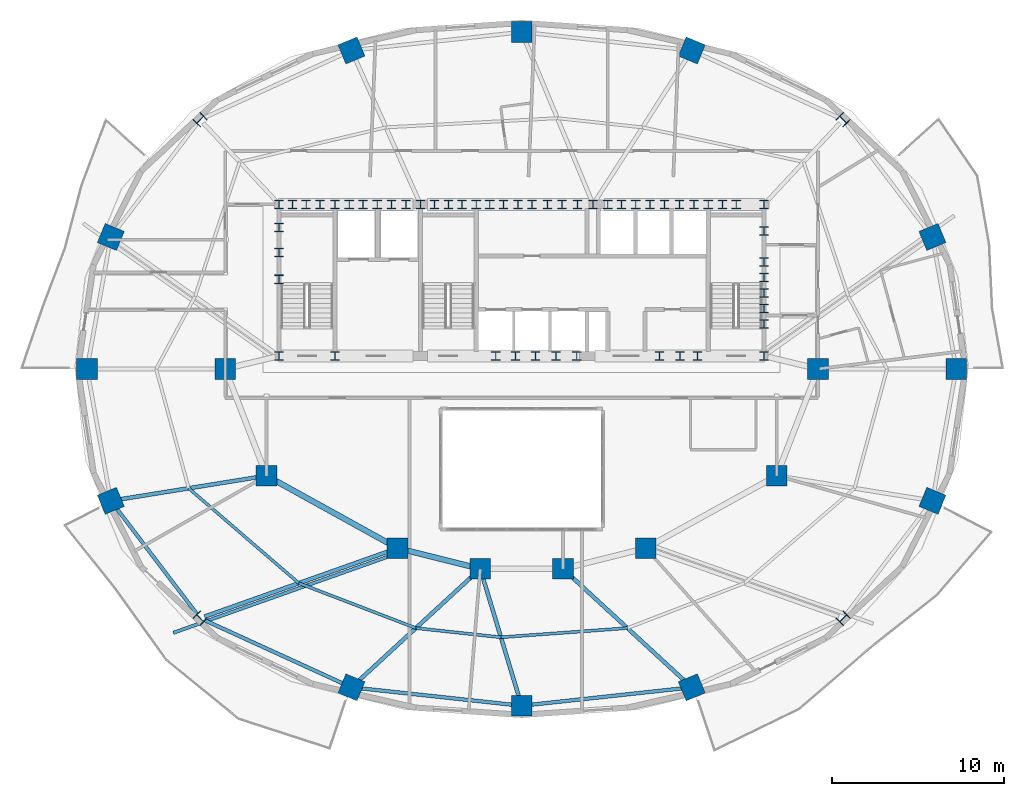
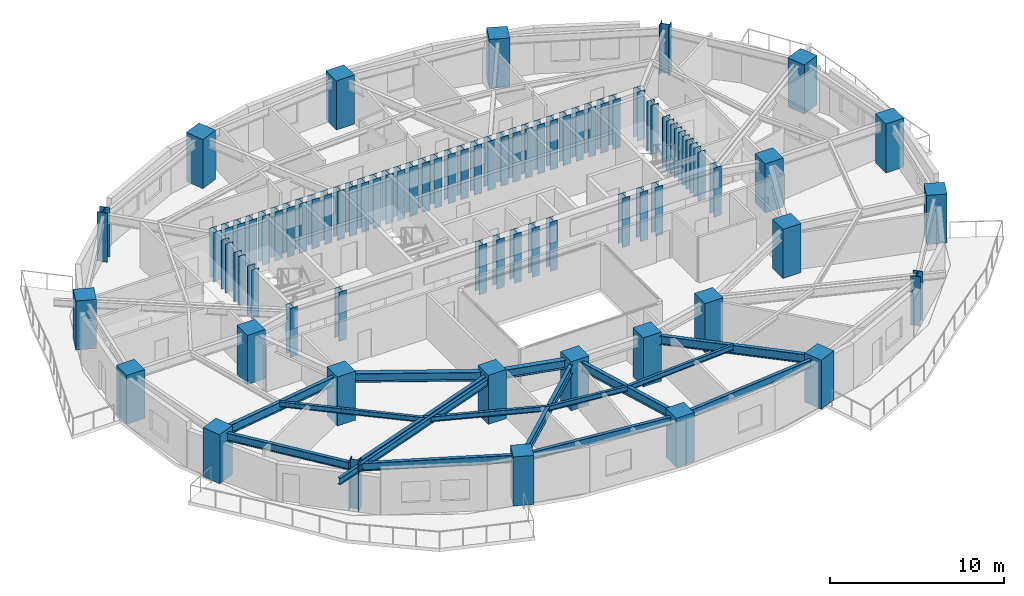
# One storey, part 1 of 13: 78 columns, 16 beams.
"""IFC4 building model written with IfcOpenShell, lengths in metres."""

from ifc_helpers import new_model, si_unit, direction, frame, origin, origin_2d, place, context, subcontext, project, spatial, rectangle, i_section, extrude, material, material_profile, profile_set, type_object, element, save


model = new_model("IFC4")

# Units and contexts
model_context = context("Model", 3, precision=1e-05, world=origin(), true_north=direction((0.0, 1.0)))
body_context = subcontext(model_context, "Body", "Model", "MODEL_VIEW")
ifc_project = project(units=[si_unit("LENGTHUNIT", "METRE"), si_unit("AREAUNIT", "SQUARE_METRE"), si_unit("VOLUMEUNIT", "CUBIC_METRE"), si_unit("PLANEANGLEUNIT", "RADIAN"), si_unit("MASSUNIT", "GRAM", prefix="KILO")], contexts=[model_context])

# Site, building, storey
site_placement = place(None, origin())
site = spatial("IfcSite", under=ifc_project, at=site_placement, CompositionType="ELEMENT")
building_placement = place(site_placement, origin())
building = spatial("IfcBuilding", under=site, at=building_placement, Name="Haldorwick Loom Tower", CompositionType="ELEMENT")
storey_placement = place(building_placement, frame((0.0, 0.0, 142.550048828125)))
storey = spatial("IfcBuildingStorey", under=building, at=storey_placement, Name="L38", CompositionType="ELEMENT", Elevation=142.550048828125)

# Columns
ifc_material_1 = material(Name="Concrete C60 (60 MPa)", Category="concrete")
ifc_material_profile_1 = material_profile(ifc_material_1, rectangle(XDim=1.199951171875, YDim=1.199951171875, at=origin_2d()), Name="RC1200X1200", Category="concrete")
ifc_profile_set_1 = profile_set([ifc_material_profile_1], Name="Concrete C60 (60 MPa)")
column_type_1 = type_object("IfcColumnType", Name="STR-COL-RC1200", PredefinedType="COLUMN", material=ifc_profile_set_1)
for number, where, z_axis, x_axis, name in (
    (1, (53.199951171875, 26.0, 0.0), (0.0, 0.0, 1.0), (1.0, 0.0, 0.0), "L38 Inner Column IC-01"),
    (2, (50.800048828125, 19.800048828125, 0.0), (0.0, 0.0, 1.0), (1.0, 0.0, 0.0), "L38 Inner Column IC-02"),
    (3, (43.199951171875, 15.60009765625, 0.0), (0.0, 0.0, 1.0), (1.0, 0.0, 0.0), "L38 Inner Column IC-03"),
    (4, (38.39990234375, 14.39990234375, 0.0), (0.0, 0.0, 1.0), (1.0, 0.0, 0.0), "L38 Inner Column IC-04"),
    (5, (33.60009765625, 14.39990234375, 0.0), (0.0, 0.0, 1.0), (1.0, 0.0, 0.0), "L38 Inner Column IC-05"),
    (6, (28.800048828125, 15.60009765625, 0.0), (0.0, 0.0, 1.0), (1.0, 0.0, 0.0), "L38 Inner Column IC-06"),
    (7, (21.199951171875, 19.800048828125, 0.0), (0.0, 0.0, 1.0), (1.0, 0.0, 0.0), "L38 Inner Column IC-07"),
    (8, (18.800048828125, 26.0, 0.0), (0.0, 0.0, 1.0), (1.0, 0.0, 0.0), "L38 Inner Column IC-08"),
    (9, (61.217041015625, 26.0, 0.0), (0.0, 0.0, 1.0), (1.0, 0.0, 0.0), "L38 Perimeter Pier Column P01"),
    (10, (59.836181640625, 33.65380859375, 0.0), (0.0, 0.0, 1.0), (0.923879532511, 0.382683432365, 0.0), "L38 Perimeter Pier Column P02"),
    (11, (45.873291015625, 44.4775390625, 0.0), (0.0, 0.0, 1.0), (0.382683432365, 0.923879532511, 0.0), "L38 Perimeter Pier Column P04"),
    (12, (36.0, 45.544677734375, 0.0), (0.0, 0.0, 1.0), (0.0, 1.0, 0.0), "L38 Perimeter Pier Column P05"),
    (13, (26.126708984375, 44.4775390625, 0.0), (0.0, 0.0, 1.0), (-0.382683432365, 0.923879532511, 0.0), "L38 Perimeter Pier Column P06"),
    (14, (12.163818359375, 33.65380859375, 0.0), (0.0, 0.0, 1.0), (-0.923879532511, 0.382683432365, 0.0), "L38 Perimeter Pier Column P08"),
    (15, (10.782958984375, 26.0, 0.0), (0.0, 0.0, 1.0), (-1.0, 0.0, 0.0), "L38 Perimeter Pier Column P09"),
    (16, (12.163818359375, 18.34619140625, 0.0), (0.0, 0.0, 1.0), (-0.923879532511, -0.382683432365, 0.0), "L38 Perimeter Pier Column P10"),
    (17, (26.126708984375, 7.5224609375, 0.0), (0.0, 0.0, 1.0), (-0.382683432365, -0.923879532511, 0.0), "L38 Perimeter Pier Column P12"),
    (18, (36.0, 6.455322265625, 0.0), (0.0, 0.0, 1.0), (0.0, -1.0, 0.0), "L38 Perimeter Pier Column P13"),
    (19, (45.873291015625, 7.5224609375, 0.0), (0.0, 0.0, 1.0), (0.382683432365, -0.923879532511, 0.0), "L38 Perimeter Pier Column P14"),
    (20, (59.836181640625, 18.34619140625, 0.0), (0.0, 0.0, 1.0), (0.923879532511, -0.382683432365, 0.0), "L38 Perimeter Pier Column P16"),
):
    element("IfcColumn", number, at=place(storey_placement, frame(where, z_axis=z_axis, x_axis=x_axis)), inside=storey, type_object=column_type_1, Name=name, PredefinedType="COLUMN", context=body_context, shape_type="SweptSolid", body=[
        extrude(rectangle(XDim=1.199951171875, YDim=1.199951171875, at=origin_2d()), origin(), (0.0, 0.0, 1.0), 3.449951171875),
    ])
ifc_material_2 = material(Name="Steel CSA G40.21 350WT", Category="steel")
ifc_material_profile_2 = material_profile(ifc_material_2, i_section(OverallWidth=0.5, OverallDepth=0.5, WebThickness=0.02197265625, FlangeThickness=0.031982421875, at=origin_2d()), Name="WWF500X500", Category="steel")
ifc_profile_set_2 = profile_set([ifc_material_profile_2], Name="Steel CSA G40.21 350WT")
column_type_2 = type_object("IfcColumnType", Name="STR-COL-WWF500", PredefinedType="COLUMN", material=ifc_profile_set_2)
for number, where, z_axis, x_axis, name in (
    (21, (21.929931640625, 35.550048828125, 0.0), (0.0, 0.0, 1.0), (1.0, 0.0, 0.0), "L38 Core Pilaster CB-01"),
    (22, (23.5, 35.550048828125, 0.0), (0.0, 0.0, 1.0), (1.0, 0.0, 0.0), "L38 Core Pilaster CB-02"),
    (23, (25.169921875, 35.550048828125, 0.0), (0.0, 0.0, 1.0), (1.0, 0.0, 0.0), "L38 Core Pilaster CB-03"),
    (24, (26.800048828125, 35.550048828125, 0.0), (0.0, 0.0, 1.0), (1.0, 0.0, 0.0), "L38 Core Pilaster CB-04"),
    (25, (28.449951171875, 35.550048828125, 0.0), (0.0, 0.0, 1.0), (1.0, 0.0, 0.0), "L38 Core Pilaster CB-05"),
    (26, (30.1298828125, 35.550048828125, 0.0), (0.0, 0.0, 1.0), (1.0, 0.0, 0.0), "L38 Core Pilaster CB-06"),
    (27, (31.75, 35.550048828125, 0.0), (0.0, 0.0, 1.0), (1.0, 0.0, 0.0), "L38 Core Pilaster CB-07"),
    (28, (33.3701171875, 35.550048828125, 0.0), (0.0, 0.0, 1.0), (1.0, 0.0, 0.0), "L38 Core Pilaster CB-08"),
    (29, (34.949951171875, 35.550048828125, 0.0), (0.0, 0.0, 1.0), (1.0, 0.0, 0.0), "L38 Core Pilaster CB-09"),
    (30, (36.60009765625, 35.550048828125, 0.0), (0.0, 0.0, 1.0), (1.0, 0.0, 0.0), "L38 Core Pilaster CB-10"),
    (31, (38.35009765625, 35.550048828125, 0.0), (0.0, 0.0, 1.0), (1.0, 0.0, 0.0), "L38 Core Pilaster CB-11"),
    (32, (40.14990234375, 35.550048828125, 0.0), (0.0, 0.0, 1.0), (1.0, 0.0, 0.0), "L38 Core Pilaster CB-12"),
    (33, (41.800048828125, 35.550048828125, 0.0), (0.0, 0.0, 1.0), (1.0, 0.0, 0.0), "L38 Core Pilaster CB-13"),
    (34, (43.449951171875, 35.550048828125, 0.0), (0.0, 0.0, 1.0), (1.0, 0.0, 0.0), "L38 Core Pilaster CB-14"),
    (35, (45.14990234375, 35.550048828125, 0.0), (0.0, 0.0, 1.0), (1.0, 0.0, 0.0), "L38 Core Pilaster CB-15"),
    (36, (46.830078125, 35.550048828125, 0.0), (0.0, 0.0, 1.0), (1.0, 0.0, 0.0), "L38 Core Pilaster CB-16"),
    (37, (48.449951171875, 35.550048828125, 0.0), (0.0, 0.0, 1.0), (1.0, 0.0, 0.0), "L38 Core Pilaster CB-17"),
    (38, (50.070068359375, 35.550048828125, 0.0), (0.0, 0.0, 1.0), (1.0, 0.0, 0.0), "L38 Core Pilaster CB-18"),
    (39, (21.929931640625, 26.75, 0.0), (0.0, 0.0, 1.0), (1.0, 0.0, 0.0), "L38 Core Pilaster CB-19"),
    (40, (25.169921875, 26.75, 0.0), (0.0, 0.0, 1.0), (1.0, 0.0, 0.0), "L38 Core Pilaster CB-20"),
    (41, (34.5, 26.75, 0.0), (0.0, 0.0, 1.0), (1.0, 0.0, 0.0), "L38 Core Pilaster CB-21"),
    (42, (36.800048828125, 26.75, 0.0), (0.0, 0.0, 1.0), (1.0, 0.0, 0.0), "L38 Core Pilaster CB-22"),
    (43, (39.199951171875, 26.75, 0.0), (0.0, 0.0, 1.0), (1.0, 0.0, 0.0), "L38 Core Pilaster CB-23"),
    (44, (45.199951171875, 26.75, 0.0), (0.0, 0.0, 1.0), (1.0, 0.0, 0.0), "L38 Core Pilaster CB-24"),
    (45, (50.070068359375, 26.75, 0.0), (0.0, 0.0, 1.0), (1.0, 0.0, 0.0), "L38 Core Pilaster CB-25"),
    (46, (21.929931640625, 31.199951171875, 0.0), (0.0, 0.0, 1.0), (1.0, 0.0, 0.0), "L38 Core Pilaster CB-26"),
    (47, (21.929931640625, 32.75, 0.0), (0.0, 0.0, 1.0), (1.0, 0.0, 0.0), "L38 Core Pilaster CB-27"),
    (48, (21.929931640625, 34.199951171875, 0.0), (0.0, 0.0, 1.0), (1.0, 0.0, 0.0), "L38 Core Pilaster CB-28"),
    (49, (50.070068359375, 28.60009765625, 0.0), (0.0, 0.0, 1.0), (1.0, 0.0, 0.0), "L38 Core Pilaster CB-29"),
    (50, (50.070068359375, 30.39990234375, 0.0), (0.0, 0.0, 1.0), (1.0, 0.0, 0.0), "L38 Core Pilaster CB-30"),
    (51, (50.070068359375, 32.199951171875, 0.0), (0.0, 0.0, 1.0), (1.0, 0.0, 0.0), "L38 Core Pilaster CB-31"),
    (52, (50.070068359375, 34.0, 0.0), (0.0, 0.0, 1.0), (1.0, 0.0, 0.0), "L38 Core Pilaster CB-32"),
    (53, (22.699951171875, 35.550048828125, 0.0), (0.0, 0.0, 1.0), (1.0, 0.0, 0.0), "L38 Core Pilaster CB-33"),
    (54, (27.6201171875, 35.550048828125, 0.0), (0.0, 0.0, 1.0), (1.0, 0.0, 0.0), "L38 Core Pilaster CB-34"),
    (55, (32.550048828125, 35.550048828125, 0.0), (0.0, 0.0, 1.0), (1.0, 0.0, 0.0), "L38 Core Pilaster CB-35"),
    (56, (37.5, 35.550048828125, 0.0), (0.0, 0.0, 1.0), (1.0, 0.0, 0.0), "L38 Core Pilaster CB-36"),
    (57, (42.6201171875, 35.550048828125, 0.0), (0.0, 0.0, 1.0), (1.0, 0.0, 0.0), "L38 Core Pilaster CB-37"),
    (58, (47.64990234375, 35.550048828125, 0.0), (0.0, 0.0, 1.0), (1.0, 0.0, 0.0), "L38 Core Pilaster CB-38"),
    (59, (24.300048828125, 35.550048828125, 0.0), (0.0, 0.0, 1.0), (1.0, 0.0, 0.0), "L38 Core Pilaster CB-39"),
    (60, (26.0, 35.550048828125, 0.0), (0.0, 0.0, 1.0), (1.0, 0.0, 0.0), "L38 Core Pilaster CB-40"),
    (61, (29.300048828125, 35.550048828125, 0.0), (0.0, 0.0, 1.0), (1.0, 0.0, 0.0), "L38 Core Pilaster CB-41"),
    (62, (30.949951171875, 35.550048828125, 0.0), (0.0, 0.0, 1.0), (1.0, 0.0, 0.0), "L38 Core Pilaster CB-42"),
    (63, (34.14990234375, 35.550048828125, 0.0), (0.0, 0.0, 1.0), (1.0, 0.0, 0.0), "L38 Core Pilaster CB-43"),
    (64, (35.800048828125, 35.550048828125, 0.0), (0.0, 0.0, 1.0), (1.0, 0.0, 0.0), "L38 Core Pilaster CB-44"),
    (65, (39.25, 35.550048828125, 0.0), (0.0, 0.0, 1.0), (1.0, 0.0, 0.0), "L38 Core Pilaster CB-45"),
    (66, (41.0, 35.550048828125, 0.0), (0.0, 0.0, 1.0), (1.0, 0.0, 0.0), "L38 Core Pilaster CB-46"),
    (67, (44.300048828125, 35.550048828125, 0.0), (0.0, 0.0, 1.0), (1.0, 0.0, 0.0), "L38 Core Pilaster CB-47"),
    (68, (46.0, 35.550048828125, 0.0), (0.0, 0.0, 1.0), (1.0, 0.0, 0.0), "L38 Core Pilaster CB-48"),
    (69, (50.070068359375, 29.5, 0.0), (0.0, 0.0, 1.0), (1.0, 0.0, 0.0), "L38 Core Pilaster CB-49"),
    (70, (50.070068359375, 31.300048828125, 0.0), (0.0, 0.0, 1.0), (1.0, 0.0, 0.0), "L38 Core Pilaster CB-50"),
    (71, (35.64990234375, 26.75, 0.0), (0.0, 0.0, 1.0), (1.0, 0.0, 0.0), "L38 Core Pilaster CB-51"),
    (72, (38.0, 26.75, 0.0), (0.0, 0.0, 1.0), (1.0, 0.0, 0.0), "L38 Core Pilaster CB-52"),
    (73, (44.0, 26.75, 0.0), (0.0, 0.0, 1.0), (1.0, 0.0, 0.0), "L38 Core Pilaster CB-53"),
    (74, (46.199951171875, 26.75, 0.0), (0.0, 0.0, 1.0), (1.0, 0.0, 0.0), "L38 Core Pilaster CB-54"),
):
    element("IfcColumn", number, at=place(storey_placement, frame(where, z_axis=z_axis, x_axis=x_axis)), inside=storey, type_object=column_type_2, Name=name, PredefinedType="COLUMN", context=body_context, shape_type="SweptSolid", body=[
        extrude(i_section(OverallWidth=0.5, OverallDepth=0.5, WebThickness=0.02197265625, FlangeThickness=0.031982421875, at=origin_2d()), origin(), (0.0, 0.0, 1.0), 3.449951171875),
    ])
ifc_material_profile_3 = material_profile(ifc_material_2, i_section(OverallWidth=0.60009765625, OverallDepth=0.60009765625, WebThickness=0.02490234375, FlangeThickness=0.035888671875, at=origin_2d()), Name="WWF600X600", Category="steel")
ifc_profile_set_3 = profile_set([ifc_material_profile_3], Name="Steel CSA G40.21 350WT")
column_type_3 = type_object("IfcColumnType", Name="STR-COL-WWF600", PredefinedType="COLUMN", material=ifc_profile_set_3)
for number, where, z_axis, x_axis, name in (
    (75, (54.655517578125, 40.464111328125, 0.0), (0.0, 0.0, 1.0), (0.707106781187, 0.707106781187, 0.0), "L38 Perimeter Pier Column P03"),
    (76, (17.344482421875, 40.464111328125, 0.0), (0.0, 0.0, 1.0), (-0.707106781187, 0.707106781187, 0.0), "L38 Perimeter Pier Column P07"),
    (77, (17.344482421875, 11.535888671875, 0.0), (0.0, 0.0, 1.0), (-0.707106781187, -0.707106781187, 0.0), "L38 Perimeter Pier Column P11"),
    (78, (54.655517578125, 11.535888671875, 0.0), (0.0, 0.0, 1.0), (0.707106781187, -0.707106781187, 0.0), "L38 Perimeter Pier Column P15"),
):
    element("IfcColumn", number, at=place(storey_placement, frame(where, z_axis=z_axis, x_axis=x_axis)), inside=storey, type_object=column_type_3, Name=name, PredefinedType="COLUMN", context=body_context, shape_type="SweptSolid", body=[
        extrude(i_section(OverallWidth=0.60009765625, OverallDepth=0.60009765625, WebThickness=0.02490234375, FlangeThickness=0.035888671875, at=origin_2d()), origin(), (0.0, 0.0, 1.0), 3.449951171875),
    ])

# Beams
ifc_material_3 = material(Name="Steel CSA G40.21 350W", Category="steel")
ifc_material_profile_4 = material_profile(ifc_material_3, i_section(OverallWidth=0.193115234375, OverallDepth=0.466064453125, WebThickness=0.011474609375, FlangeThickness=0.01904296875, at=origin_2d()), Name="W460X97", Category="steel")
ifc_profile_set_4 = profile_set([ifc_material_profile_4], Name="Steel CSA G40.21 350W")
beam_type_1 = type_object("IfcBeamType", Name="STR-BM-BAL460", PredefinedType="BEAM", material=ifc_profile_set_4)
beam_1_placement = place(storey_placement, frame((28.403564453125, 15.162109375, 2.97705078125), z_axis=(-0.942447955832, -0.334352883266, 0.0), x_axis=(0.334352883266, -0.942447955832, 0.0)))
element("IfcBeam", 79, at=beam_1_placement, inside=storey, type_object=beam_type_1, Name="L38 Continuous Back-Spanned Balcony Beam 2", PredefinedType="BEAM", context=body_context, shape_type="SweptSolid", body=[
    extrude(i_section(OverallWidth=0.193115234375, OverallDepth=0.466064453125, WebThickness=0.011474609375, FlangeThickness=0.01904296875, at=origin_2d()), origin(), (0.0, 0.0, 1.0), 13.385009765625),
])
ifc_material_profile_5 = material_profile(ifc_material_3, i_section(OverallWidth=0.172119140625, OverallDepth=0.35791015625, WebThickness=0.0078125, FlangeThickness=0.01318359375, at=origin_2d()), Name="W360X57", Category="steel")
ifc_profile_set_5 = profile_set([ifc_material_profile_5], Name="Steel CSA G40.21 350W")
beam_type_2 = type_object("IfcBeamType", Name="STR-BM-J360", PredefinedType="JOIST", material=ifc_profile_set_5)
beam_2_placement = place(storey_placement, frame((16.681884765625, 19.072998046875, 3.031005859375), z_axis=(0.75763401328, -0.652679631918, 0.0), x_axis=(0.652679631918, 0.75763401328, 0.0)))
element("IfcBeam", 80, at=beam_2_placement, inside=storey, type_object=beam_type_2, Name="L38 Mid-Bay Secondary Joist 10", PredefinedType="JOIST", context=body_context, shape_type="SweptSolid", body=[
    extrude(i_section(OverallWidth=0.172119140625, OverallDepth=0.35791015625, WebThickness=0.0078125, FlangeThickness=0.01318359375, at=origin_2d()), origin(), (0.0, 0.0, 1.0), 8.4345703125),
])
beam_3_placement = place(storey_placement, frame((23.072265625, 13.56787109375, 3.031005859375), z_axis=(0.933586737031, -0.358351509609, 0.0), x_axis=(0.358351509609, 0.933586737031, 0.0)))
element("IfcBeam", 81, at=beam_3_placement, inside=storey, type_object=beam_type_2, Name="L38 Mid-Bay Secondary Joist 11", PredefinedType="JOIST", context=body_context, shape_type="SweptSolid", body=[
    extrude(i_section(OverallWidth=0.172119140625, OverallDepth=0.35791015625, WebThickness=0.0078125, FlangeThickness=0.01318359375, at=origin_2d()), origin(), (0.0, 0.0, 1.0), 7.274169921875),
])
beam_4_placement = place(storey_placement, frame((29.86328125, 10.961181640625, 3.031005859375), z_axis=(0.994212584227, -0.107430616514, 0.0), x_axis=(0.107430616514, 0.994212584227, 0.0)))
element("IfcBeam", 82, at=beam_4_placement, inside=storey, type_object=beam_type_2, Name="L38 Mid-Bay Secondary Joist 12", PredefinedType="JOIST", context=body_context, shape_type="SweptSolid", body=[
    extrude(i_section(OverallWidth=0.172119140625, OverallDepth=0.35791015625, WebThickness=0.0078125, FlangeThickness=0.01318359375, at=origin_2d()), origin(), (0.0, 0.0, 1.0), 4.965576171875),
])
beam_5_placement = place(storey_placement, frame((34.800048828125, 10.427734375, 3.031005859375), z_axis=(0.997367082818, 0.072518288109, 0.0), x_axis=(-0.072518288109, 0.997367082818, 0.0)))
element("IfcBeam", 83, at=beam_5_placement, inside=storey, type_object=beam_type_2, Name="L38 Mid-Bay Secondary Joist 13", PredefinedType="JOIST", context=body_context, shape_type="SweptSolid", body=[
    extrude(i_section(OverallWidth=0.172119140625, OverallDepth=0.35791015625, WebThickness=0.0078125, FlangeThickness=0.01318359375, at=origin_2d()), origin(), (0.0, 0.0, 1.0), 7.35595703125),
])
ifc_material_profile_6 = material_profile(ifc_material_3, i_section(OverallWidth=0.2119140625, OverallDepth=0.5439453125, WebThickness=0.01318359375, FlangeThickness=0.021240234375, at=origin_2d()), Name="W530X123", Category="steel")
ifc_profile_set_6 = profile_set([ifc_material_profile_6], Name="Steel CSA G40.21 350W")
beam_type_3 = type_object("IfcBeamType", Name="STR-BM-SP530", PredefinedType="SPANDREL", material=ifc_profile_set_6)
beam_6_placement = place(storey_placement, frame((12.478759765625, 17.932373046875, 2.93798828125), z_axis=(0.605421356486, -0.795905133236, 0.0), x_axis=(0.795905133236, 0.605421356486, 0.0)))
element("IfcBeam", 84, at=beam_6_placement, inside=storey, type_object=beam_type_3, Name="L38 Perimeter Spandrel 10", PredefinedType="SPANDREL", context=body_context, shape_type="SweptSolid", body=[
    extrude(i_section(OverallWidth=0.2119140625, OverallDepth=0.5439453125, WebThickness=0.01318359375, FlangeThickness=0.021240234375, at=origin_2d()), origin(), (0.0, 0.0, 1.0), 7.761962890625),
])
beam_7_placement = place(storey_placement, frame((17.594482421875, 11.42138671875, 2.93798828125), z_axis=(0.909534296496, -0.415628877121, 0.0), x_axis=(0.415628877121, 0.909534296496, 0.0)))
element("IfcBeam", 85, at=beam_7_placement, inside=storey, type_object=beam_type_3, Name="L38 Perimeter Spandrel 11", PredefinedType="SPANDREL", context=body_context, shape_type="SweptSolid", body=[
    extrude(i_section(OverallWidth=0.2119140625, OverallDepth=0.5439453125, WebThickness=0.01318359375, FlangeThickness=0.021240234375, at=origin_2d()), origin(), (0.0, 0.0, 1.0), 8.86083984375),
])
for number, where, z_axis, x_axis, name in (
    (86, (26.643798828125, 7.466552734375, 2.93798828125), (0.994210140187, -0.107453232386, 0.0), (0.107453232386, 0.994210140187, 0.0), "L38 Perimeter Spandrel 12"),
    (87, (36.51708984375, 6.51123046875, 2.93798828125), (0.994210140187, 0.107453232386, 0.0), (-0.107453232386, 0.994210140187, 0.0), "L38 Perimeter Spandrel 13"),
):
    element("IfcBeam", number, at=place(storey_placement, frame(where, z_axis=z_axis, x_axis=x_axis)), inside=storey, type_object=beam_type_3, Name=name, PredefinedType="SPANDREL", context=body_context, shape_type="SweptSolid", body=[
        extrude(i_section(OverallWidth=0.2119140625, OverallDepth=0.5439453125, WebThickness=0.01318359375, FlangeThickness=0.021240234375, at=origin_2d()), origin(), (0.0, 0.0, 1.0), 8.890625),
    ])
ifc_material_profile_7 = material_profile(ifc_material_3, i_section(OverallWidth=0.324951171875, OverallDepth=0.615966796875, WebThickness=0.013916015625, FlangeThickness=0.021484375, at=origin_2d()), Name="W610X174", Category="steel")
ifc_profile_set_7 = profile_set([ifc_material_profile_7], Name="Steel CSA G40.21 350W")
beam_type_4 = type_object("IfcBeamType", Name="STR-BM-W610A", PredefinedType="BEAM", material=ifc_profile_set_7)
beam_8_placement = place(storey_placement, frame((33.095458984375, 14.526123046875, 2.90185546875), z_axis=(-0.970142500145, 0.242535625036, 0.0), x_axis=(-0.242535625036, -0.970142500145, 0.0)))
element("IfcBeam", 88, at=beam_8_placement, inside=storey, type_object=beam_type_4, Name="L38 Inner Ring Girder 6", PredefinedType="BEAM", context=body_context, shape_type="SweptSolid", body=[
    extrude(i_section(OverallWidth=0.324951171875, OverallDepth=0.615966796875, WebThickness=0.013916015625, FlangeThickness=0.021484375, at=origin_2d()), origin(), (0.0, 0.0, 1.0), 3.90771484375),
])
beam_9_placement = place(storey_placement, frame((28.344970703125, 15.8515625, 2.90185546875), z_axis=(-0.875244382146, 0.483680960471, 0.0), x_axis=(-0.483680960471, -0.875244382146, 0.0)))
element("IfcBeam", 89, at=beam_9_placement, inside=storey, type_object=beam_type_4, Name="L38 Inner Ring Girder 7", PredefinedType="BEAM", context=body_context, shape_type="SweptSolid", body=[
    extrude(i_section(OverallWidth=0.324951171875, OverallDepth=0.615966796875, WebThickness=0.013916015625, FlangeThickness=0.021484375, at=origin_2d()), origin(), (0.0, 0.0, 1.0), 7.6435546875),
])
ifc_material_profile_8 = material_profile(ifc_material_3, i_section(OverallWidth=0.22998046875, OverallDepth=0.616943359375, WebThickness=0.01318359375, FlangeThickness=0.022216796875, at=origin_2d()), Name="W610X140", Category="steel")
ifc_profile_set_8 = profile_set([ifc_material_profile_8], Name="Steel CSA G40.21 350W")
beam_type_5 = type_object("IfcBeamType", Name="STR-BM-W610B", PredefinedType="BEAM", material=ifc_profile_set_8)
beam_10_placement = place(storey_placement, frame((20.6865234375, 19.71728515625, 2.9013671875), z_axis=(-0.987308639475, -0.158813256432, 0.0), x_axis=(0.158813256432, -0.987308639475, 0.0)))
element("IfcBeam", 90, at=beam_10_placement, inside=storey, type_object=beam_type_5, Name="L38 Radial Floor Girder 10", PredefinedType="BEAM", context=body_context, shape_type="SweptSolid", body=[
    extrude(i_section(OverallWidth=0.22998046875, OverallDepth=0.616943359375, WebThickness=0.01318359375, FlangeThickness=0.022216796875, at=origin_2d()), origin(), (0.0, 0.0, 1.0), 8.1123046875),
])
beam_11_placement = place(storey_placement, frame((28.309814453125, 15.426025390625, 2.9013671875), z_axis=(-0.9424463153, -0.334357507433, 0.0), x_axis=(0.334357507433, -0.9424463153, 0.0)))
element("IfcBeam", 91, at=beam_11_placement, inside=storey, type_object=beam_type_5, Name="L38 Radial Floor Girder 11", PredefinedType="BEAM", context=body_context, shape_type="SweptSolid", body=[
    extrude(i_section(OverallWidth=0.22998046875, OverallDepth=0.616943359375, WebThickness=0.01318359375, FlangeThickness=0.022216796875, at=origin_2d()), origin(), (0.0, 0.0, 1.0), 11.360107421875),
])
beam_12_placement = place(storey_placement, frame((33.21728515625, 14.0478515625, 2.9013671875), z_axis=(-0.735810902934, -0.677187060658, 0.0), x_axis=(0.677187060658, -0.735810902934, 0.0)))
element("IfcBeam", 92, at=beam_12_placement, inside=storey, type_object=beam_type_5, Name="L38 Radial Floor Girder 12", PredefinedType="BEAM", context=body_context, shape_type="SweptSolid", body=[
    extrude(i_section(OverallWidth=0.22998046875, OverallDepth=0.616943359375, WebThickness=0.01318359375, FlangeThickness=0.022216796875, at=origin_2d()), origin(), (0.0, 0.0, 1.0), 9.1162109375),
])
beam_13_placement = place(storey_placement, frame((33.75048828125, 13.902099609375, 2.9013671875), z_axis=(0.28917091681, -0.957277483738, 0.0), x_axis=(0.957277483738, 0.28917091681, 0.0)))
element("IfcBeam", 93, at=beam_13_placement, inside=storey, type_object=beam_type_5, Name="L38 Radial Floor Girder 13", PredefinedType="BEAM", context=body_context, shape_type="SweptSolid", body=[
    extrude(i_section(OverallWidth=0.22998046875, OverallDepth=0.616943359375, WebThickness=0.01318359375, FlangeThickness=0.022216796875, at=origin_2d()), origin(), (0.0, 0.0, 1.0), 7.259033203125),
])
beam_14_placement = place(storey_placement, frame((38.78271484375, 14.0478515625, 2.9013671875), z_axis=(0.735810902934, -0.677187060658, 0.0), x_axis=(0.677187060658, 0.735810902934, 0.0)))
element("IfcBeam", 94, at=beam_14_placement, inside=storey, type_object=beam_type_5, Name="L38 Radial Floor Girder 14", PredefinedType="BEAM", context=body_context, shape_type="SweptSolid", body=[
    extrude(i_section(OverallWidth=0.22998046875, OverallDepth=0.616943359375, WebThickness=0.01318359375, FlangeThickness=0.022216796875, at=origin_2d()), origin(), (0.0, 0.0, 1.0), 9.1162109375),
])

save(model, "model.ifc")
